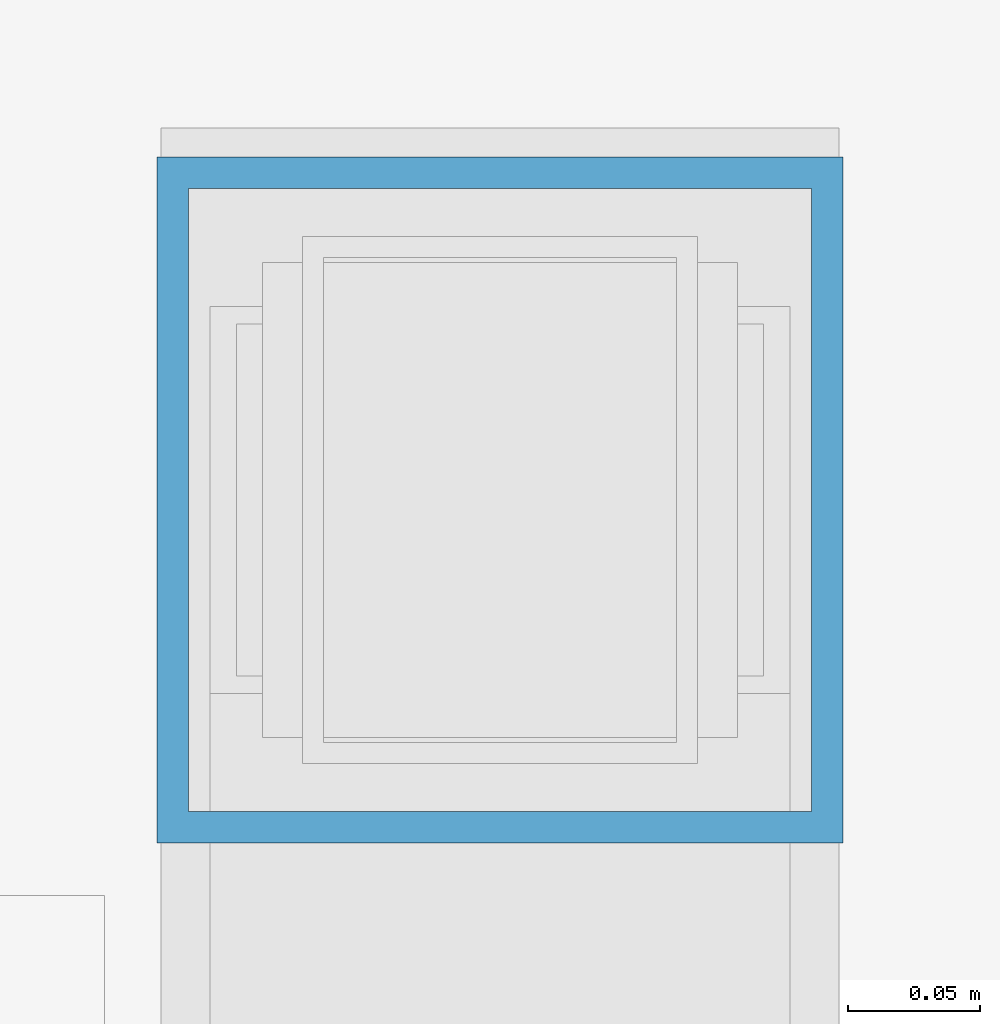
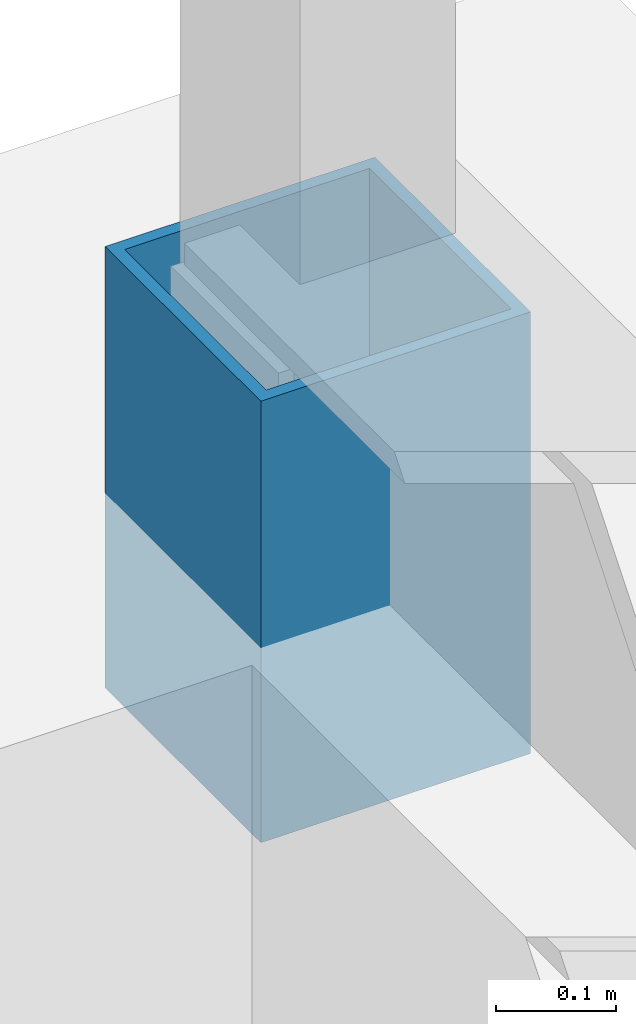
# One storey, part 5 of 34: 1 column.
"""IFC4 building model written with IfcOpenShell, lengths in metres."""

from ifc_helpers import new_model, si_unit, direction, frame, origin, origin_2d, place, context, subcontext, project, spatial, hollow_rectangle, extrude, material, material_profile, profile_set, type_object, element, save


model = new_model("IFC4")

# Units and contexts
model_context = context("Model", 3, precision=1e-05, world=origin(), true_north=direction((0.0, 1.0)))
body_context = subcontext(model_context, "Body", "Model", "MODEL_VIEW")
ifc_project = project(units=[si_unit("LENGTHUNIT", "METRE"), si_unit("AREAUNIT", "SQUARE_METRE"), si_unit("VOLUMEUNIT", "CUBIC_METRE"), si_unit("PLANEANGLEUNIT", "RADIAN"), si_unit("MASSUNIT", "GRAM", prefix="KILO")], contexts=[model_context])

# Site, building, storey
site_placement = place(None, origin())
site = spatial("IfcSite", under=ifc_project, at=site_placement, CompositionType="ELEMENT")
building_placement = place(site_placement, origin())
building = spatial("IfcBuilding", under=site, at=building_placement, Name="Qorikala Patio Media Centre", CompositionType="ELEMENT")
storey_placement = place(building_placement, frame((0.0, 0.0, 32.699951171875)))
storey = spatial("IfcBuildingStorey", under=building, at=storey_placement, Name="RF", CompositionType="ELEMENT", Elevation=32.699951171875)

# Column
ifc_material = material(Name="Steel S355", Category="steel")
ifc_material_profile = material_profile(ifc_material, hollow_rectangle(XDim=0.260009765625, YDim=0.260009765625, WallThickness=0.011962890625, at=origin_2d()), Name="HSS260X260X12")
ifc_profile_set = profile_set([ifc_material_profile], Name="Steel S355")
column_type = type_object("IfcColumnType", Name="SCOL-HSS260X260X12", PredefinedType="COLUMN", material=ifc_profile_set)
column_placement = place(storey_placement, frame((43.0, 35.0, 0.0), z_axis=(0.0, 0.0, 1.0), x_axis=(1.0, 0.0, 0.0)))
element("IfcColumn", 1, at=column_placement, inside=storey, type_object=column_type, Name="SAW-V1 Truss Bearing Pedestal (43,35)", PredefinedType="COLUMN", context=body_context, shape_type="SweptSolid", body=[
    extrude(hollow_rectangle(XDim=0.260009765625, YDim=0.260009765625, WallThickness=0.011962890625, at=origin_2d()), origin(), (0.0, 0.0, 1.0), 0.449951171875),
])

save(model, "model.ifc")
